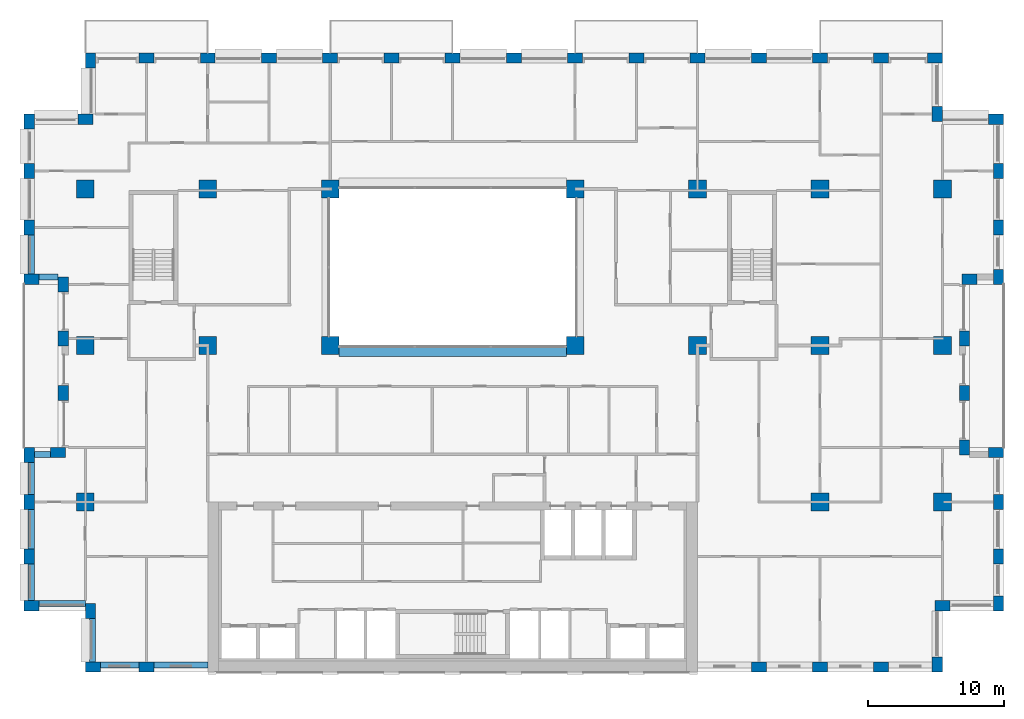
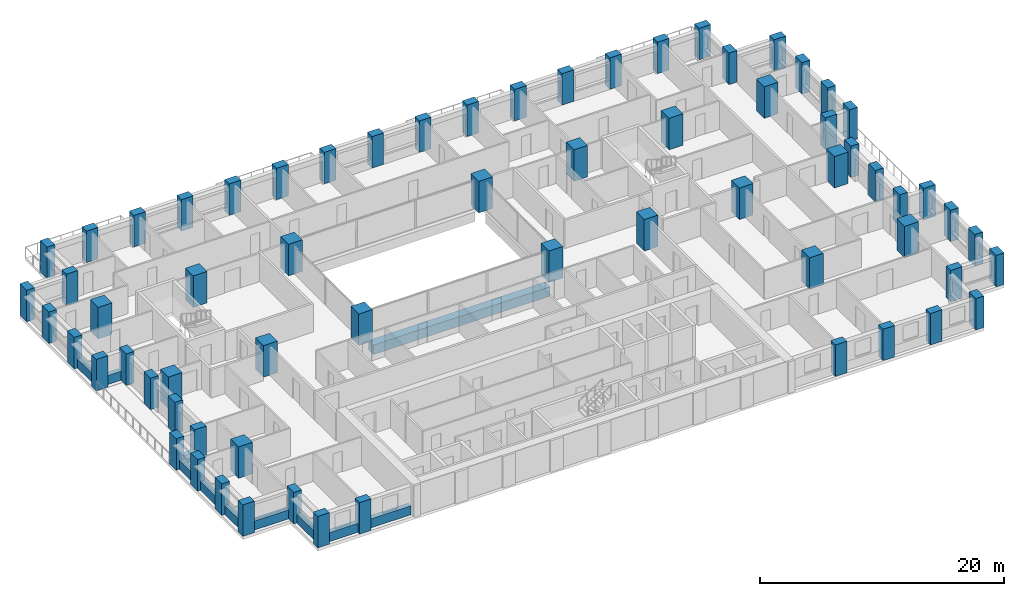
# One storey, part 1 of 16: 66 columns, 11 beams.
"""IFC4 building model written with IfcOpenShell, lengths in metres."""

from ifc_helpers import new_model, si_unit, direction, frame, origin, origin_2d, place, context, subcontext, project, spatial, rectangle, extrude, material, material_profile, profile_set, type_object, element, save


model = new_model("IFC4")

# Units and contexts
model_context = context("Model", 3, precision=1e-05, world=origin(), true_north=direction((0.0, 1.0)))
body_context = subcontext(model_context, "Body", "Model", "MODEL_VIEW")
ifc_project = project(units=[si_unit("LENGTHUNIT", "METRE"), si_unit("AREAUNIT", "SQUARE_METRE"), si_unit("VOLUMEUNIT", "CUBIC_METRE"), si_unit("PLANEANGLEUNIT", "RADIAN"), si_unit("MASSUNIT", "GRAM", prefix="KILO")], contexts=[model_context])

# Site, building, storey
site_placement = place(None, origin())
site = spatial("IfcSite", under=ifc_project, at=site_placement, CompositionType="ELEMENT")
building_placement = place(site_placement, origin())
building = spatial("IfcBuilding", under=site, at=building_placement, Name="Brigalow Station Residences", CompositionType="ELEMENT")
storey_placement = place(building_placement, frame((0.0, 0.0, 124.5)))
storey = spatial("IfcBuildingStorey", under=building, at=storey_placement, Name="L36", CompositionType="ELEMENT", Elevation=124.5)

# Columns
ifc_material_1 = material(Name="Concrete C65", Category="concrete")
ifc_material_profile_1 = material_profile(ifc_material_1, rectangle(XDim=1.300048828125, YDim=1.300048828125, at=origin_2d()), Name="RC1300x1300")
ifc_profile_set_1 = profile_set([ifc_material_profile_1], Name="Concrete C65")
column_type_1 = type_object("IfcColumnType", Name="COLUMN 1300x1300 C65", PredefinedType="COLUMN", material=ifc_profile_set_1)
for number, where, z_axis, x_axis, name in (
    (1, (9.0, 24.0, 0.0), (0.0, 0.0, 1.0), (1.0, 0.0, 0.0), "COLUMN C1 L36"),
    (2, (18.0, 24.0, 0.0), (0.0, 0.0, 1.0), (1.0, 0.0, 0.0), "COLUMN C2 L36"),
    (3, (27.0, 24.0, 0.0), (0.0, 0.0, 1.0), (1.0, 0.0, 0.0), "COLUMN C3 L36"),
    (4, (45.0, 24.0, 0.0), (0.0, 0.0, 1.0), (1.0, 0.0, 0.0), "COLUMN C5 L36"),
    (5, (54.0, 24.0, 0.0), (0.0, 0.0, 1.0), (1.0, 0.0, 0.0), "COLUMN C6 L36"),
    (6, (63.0, 24.0, 0.0), (0.0, 0.0, 1.0), (1.0, 0.0, 0.0), "COLUMN C7 L36"),
    (7, (72.0, 24.0, 0.0), (0.0, 0.0, 1.0), (1.0, 0.0, 0.0), "COLUMN C8 L36"),
    (8, (9.0, 35.5, 0.0), (0.0, 0.0, 1.0), (1.0, 0.0, 0.0), "COLUMN D1 L36"),
    (9, (18.0, 35.5, 0.0), (0.0, 0.0, 1.0), (1.0, 0.0, 0.0), "COLUMN D2 L36"),
    (10, (27.0, 35.5, 0.0), (0.0, 0.0, 1.0), (1.0, 0.0, 0.0), "COLUMN D3 L36"),
    (11, (45.0, 35.5, 0.0), (0.0, 0.0, 1.0), (1.0, 0.0, 0.0), "COLUMN D5 L36"),
    (12, (54.0, 35.5, 0.0), (0.0, 0.0, 1.0), (1.0, 0.0, 0.0), "COLUMN D6 L36"),
    (13, (63.0, 35.5, 0.0), (0.0, 0.0, 1.0), (1.0, 0.0, 0.0), "COLUMN D7 L36"),
    (14, (72.0, 35.5, 0.0), (0.0, 0.0, 1.0), (1.0, 0.0, 0.0), "COLUMN D8 L36"),
    (15, (9.0, 12.5, 0.0), (0.0, 0.0, 1.0), (1.0, 0.0, 0.0), "COLUMN B1 L36"),
    (16, (63.0, 12.5, 0.0), (0.0, 0.0, 1.0), (1.0, 0.0, 0.0), "COLUMN B7 L36"),
    (17, (72.0, 12.5, 0.0), (0.0, 0.0, 1.0), (1.0, 0.0, 0.0), "COLUMN B8 L36"),
):
    element("IfcColumn", number, at=place(storey_placement, frame(where, z_axis=z_axis, x_axis=x_axis)), inside=storey, type_object=column_type_1, Name=name, PredefinedType="COLUMN", context=body_context, shape_type="SweptSolid", body=[
        extrude(rectangle(XDim=1.300048828125, YDim=1.300048828125, at=origin_2d()), origin(), (0.0, 0.0, 1.0), 3.14990234375),
    ])
ifc_material_2 = material(Name="Concrete C65", Category="concrete")
ifc_material_profile_2 = material_profile(ifc_material_2, rectangle(XDim=1.10009765625, YDim=0.75, at=origin_2d()), Name="RC1100x750")
ifc_profile_set_2 = profile_set([ifc_material_profile_2], Name="Concrete C65")
column_type_2 = type_object("IfcColumnType", Name="PIER 1100x750 C65", PredefinedType="USERDEFINED", material=ifc_profile_set_2)
for number, where, z_axis, x_axis, name in (
    (18, (9.550048828125, 0.375, 0.0), (0.0, 0.0, 1.0), (1.0, 0.0, 0.0), "PIER S-1 L36"),
    (19, (13.5, 0.375, 0.0), (0.0, 0.0, 1.0), (1.0, 0.0, 0.0), "PIER S-2 L36"),
    (20, (58.5, 0.375, 0.0), (0.0, 0.0, 1.0), (1.0, 0.0, 0.0), "PIER S-12 L36"),
    (21, (63.0, 0.375, 0.0), (0.0, 0.0, 1.0), (1.0, 0.0, 0.0), "PIER S-13 L36"),
    (22, (67.5, 0.375, 0.0), (0.0, 0.0, 1.0), (1.0, 0.0, 0.0), "PIER S-14 L36"),
    (23, (71.625, 0.550048828125, 0.0), (0.0, 0.0, 1.0), (0.0, 1.0, 0.0), "PIER SE1-1 L36"),
    (24, (72.0, 4.875, 0.0), (0.0, 0.0, 1.0), (1.0, 0.0, 0.0), "PIER SE2-1 L36"),
    (25, (76.125, 5.050048828125, 0.0), (0.0, 0.0, 1.0), (0.0, 1.0, 0.0), "PIER E1-1 L36"),
    (26, (76.125, 8.5, 0.0), (0.0, 0.0, 1.0), (0.0, 1.0, 0.0), "PIER E1-2 L36"),
    (27, (76.125, 12.5, 0.0), (0.0, 0.0, 1.0), (0.0, 1.0, 0.0), "PIER E1-3 L36"),
    (28, (75.949951171875, 16.125, 0.0), (0.0, 0.0, 1.0), (-1.0, 0.0, 0.0), "PIER EL1-1 L36"),
    (29, (73.625, 16.5, 0.0), (0.0, 0.0, 1.0), (0.0, 1.0, 0.0), "PIER EL2-1 L36"),
    (30, (73.625, 20.5, 0.0), (0.0, 0.0, 1.0), (0.0, 1.0, 0.0), "PIER EL2-2 L36"),
    (31, (73.625, 24.5, 0.0), (0.0, 0.0, 1.0), (0.0, 1.0, 0.0), "PIER EL2-3 L36"),
    (32, (74.0, 28.875, 0.0), (0.0, 0.0, 1.0), (1.0, 0.0, 0.0), "PIER EL3-1 L36"),
    (33, (76.125, 29.050048828125, 0.0), (0.0, 0.0, 1.0), (0.0, 1.0, 0.0), "PIER E2-1 L36"),
    (34, (76.125, 32.6669921875, 0.0), (0.0, 0.0, 1.0), (0.0, 1.0, 0.0), "PIER E2-2 L36"),
    (35, (76.125, 36.8330078125, 0.0), (0.0, 0.0, 1.0), (0.0, 1.0, 0.0), "PIER E2-3 L36"),
    (36, (75.949951171875, 40.625, 0.0), (0.0, 0.0, 1.0), (-1.0, 0.0, 0.0), "PIER NE1-1 L36"),
    (37, (71.625, 41.0, 0.0), (0.0, 0.0, 1.0), (0.0, 1.0, 0.0), "PIER NE2-1 L36"),
    (38, (71.449951171875, 45.125, 0.0), (0.0, 0.0, 1.0), (-1.0, 0.0, 0.0), "PIER N-1 L36"),
    (39, (67.5, 45.125, 0.0), (0.0, 0.0, 1.0), (-1.0, 0.0, 0.0), "PIER N-2 L36"),
    (40, (63.0, 45.125, 0.0), (0.0, 0.0, 1.0), (-1.0, 0.0, 0.0), "PIER N-3 L36"),
    (41, (58.5, 45.125, 0.0), (0.0, 0.0, 1.0), (-1.0, 0.0, 0.0), "PIER N-4 L36"),
    (42, (54.0, 45.125, 0.0), (0.0, 0.0, 1.0), (-1.0, 0.0, 0.0), "PIER N-5 L36"),
    (43, (49.5, 45.125, 0.0), (0.0, 0.0, 1.0), (-1.0, 0.0, 0.0), "PIER N-6 L36"),
    (44, (45.0, 45.125, 0.0), (0.0, 0.0, 1.0), (-1.0, 0.0, 0.0), "PIER N-7 L36"),
    (45, (40.5, 45.125, 0.0), (0.0, 0.0, 1.0), (-1.0, 0.0, 0.0), "PIER N-8 L36"),
    (46, (36.0, 45.125, 0.0), (0.0, 0.0, 1.0), (-1.0, 0.0, 0.0), "PIER N-9 L36"),
    (47, (31.5, 45.125, 0.0), (0.0, 0.0, 1.0), (-1.0, 0.0, 0.0), "PIER N-10 L36"),
    (48, (27.0, 45.125, 0.0), (0.0, 0.0, 1.0), (-1.0, 0.0, 0.0), "PIER N-11 L36"),
    (49, (22.5, 45.125, 0.0), (0.0, 0.0, 1.0), (-1.0, 0.0, 0.0), "PIER N-12 L36"),
    (50, (18.0, 45.125, 0.0), (0.0, 0.0, 1.0), (-1.0, 0.0, 0.0), "PIER N-13 L36"),
    (51, (13.5, 45.125, 0.0), (0.0, 0.0, 1.0), (-1.0, 0.0, 0.0), "PIER N-14 L36"),
    (52, (9.375, 44.949951171875, 0.0), (0.0, 0.0, 1.0), (0.0, -1.0, 0.0), "PIER NW1-1 L36"),
    (53, (9.0, 40.625, 0.0), (0.0, 0.0, 1.0), (-1.0, 0.0, 0.0), "PIER NW2-1 L36"),
    (54, (4.875, 40.449951171875, 0.0), (0.0, 0.0, 1.0), (0.0, -1.0, 0.0), "PIER W2-1 L36"),
    (55, (4.875, 36.8330078125, 0.0), (0.0, 0.0, 1.0), (0.0, -1.0, 0.0), "PIER W2-2 L36"),
    (56, (4.875, 32.6669921875, 0.0), (0.0, 0.0, 1.0), (0.0, -1.0, 0.0), "PIER W2-3 L36"),
    (57, (5.050048828125, 28.875, 0.0), (0.0, 0.0, 1.0), (1.0, 0.0, 0.0), "PIER WL1-1 L36"),
    (58, (7.375, 28.5, 0.0), (0.0, 0.0, 1.0), (0.0, -1.0, 0.0), "PIER WL2-1 L36"),
    (59, (7.375, 24.5, 0.0), (0.0, 0.0, 1.0), (0.0, -1.0, 0.0), "PIER WL2-2 L36"),
    (60, (7.375, 20.5, 0.0), (0.0, 0.0, 1.0), (0.0, -1.0, 0.0), "PIER WL2-3 L36"),
    (61, (7.0, 16.125, 0.0), (0.0, 0.0, 1.0), (-1.0, 0.0, 0.0), "PIER WL3-1 L36"),
    (62, (4.875, 15.949951171875, 0.0), (0.0, 0.0, 1.0), (0.0, -1.0, 0.0), "PIER W1-1 L36"),
    (63, (4.875, 12.5, 0.0), (0.0, 0.0, 1.0), (0.0, -1.0, 0.0), "PIER W1-2 L36"),
    (64, (4.875, 8.5, 0.0), (0.0, 0.0, 1.0), (0.0, -1.0, 0.0), "PIER W1-3 L36"),
    (65, (5.050048828125, 4.875, 0.0), (0.0, 0.0, 1.0), (1.0, 0.0, 0.0), "PIER SW1-1 L36"),
    (66, (9.375, 4.5, 0.0), (0.0, 0.0, 1.0), (0.0, -1.0, 0.0), "PIER SW2-1 L36"),
):
    element("IfcColumn", number, at=place(storey_placement, frame(where, z_axis=z_axis, x_axis=x_axis)), inside=storey, type_object=column_type_2, Name=name, ObjectType="PIER", PredefinedType="USERDEFINED", context=body_context, shape_type="SweptSolid", body=[
        extrude(rectangle(XDim=1.10009765625, YDim=0.75, at=origin_2d()), origin(), (0.0, 0.0, 1.0), 3.14990234375),
    ])

# Beams
ifc_material_3 = material(Name="Concrete C65", Category="concrete")
ifc_material_profile_3 = material_profile(ifc_material_3, rectangle(XDim=0.800048828125, YDim=0.949951171875, at=origin_2d()), Name="RC800x950")
ifc_profile_set_3 = profile_set([ifc_material_profile_3], Name="Concrete C65")
beam_type_1 = type_object("IfcBeamType", Name="ATRIUM EDGE GIRDER OVER 13.5 M SPAN 800x950 C65", PredefinedType="BEAM", material=ifc_profile_set_3)
beam_1_placement = place(storey_placement, frame((27.64990234375, 23.60009765625, -0.794921875), z_axis=(1.0, 0.0, 0.0), x_axis=(0.0, 1.0, 0.0)))
element("IfcBeam", 67, at=beam_1_placement, inside=storey, type_object=beam_type_1, Name="ATRIUM EDGE GIRDER C L36", PredefinedType="BEAM", context=body_context, shape_type="SweptSolid", body=[
    extrude(rectangle(XDim=0.800048828125, YDim=0.949951171875, at=origin_2d()), origin(), (0.0, 0.0, 1.0), 16.7001953125),
])
ifc_material_4 = material(Name="Concrete C65", Category="concrete")
ifc_material_profile_4 = material_profile(ifc_material_4, rectangle(XDim=0.449951171875, YDim=0.89990234375, at=origin_2d()), Name="RC450x900")
ifc_profile_set_4 = profile_set([ifc_material_profile_4], Name="Concrete C65")
beam_type_2 = type_object("IfcBeamType", Name="SPANDREL BEAM 450x900 C65", PredefinedType="SPANDREL", material=ifc_profile_set_4)
beam_2_placement = place(storey_placement, frame((10.10009765625, 0.52490234375, 0.449951171875), z_axis=(1.0, 0.0, 0.0), x_axis=(0.0, 1.0, 0.0)))
element("IfcBeam", 68, at=beam_2_placement, inside=storey, type_object=beam_type_2, Name="L36/spandrel/W-L36-1", PredefinedType="SPANDREL", context=body_context, shape_type="SweptSolid", body=[
    extrude(rectangle(XDim=0.449951171875, YDim=0.89990234375, at=origin_2d()), origin(), (0.0, 0.0, 1.0), 2.849853515625),
])
beam_3_placement = place(storey_placement, frame((14.050048828125, 0.52490234375, 0.449951171875), z_axis=(1.0, 0.0, 0.0), x_axis=(0.0, 1.0, 0.0)))
element("IfcBeam", 69, at=beam_3_placement, inside=storey, type_object=beam_type_2, Name="L36/spandrel/W-L36-2", PredefinedType="SPANDREL", context=body_context, shape_type="SweptSolid", body=[
    extrude(rectangle(XDim=0.449951171875, YDim=0.89990234375, at=origin_2d()), origin(), (0.0, 0.0, 1.0), 3.949951171875),
])
beam_4_placement = place(storey_placement, frame((5.02490234375, 32.116943359375, 0.449951171875), z_axis=(0.0, -1.0, 0.0), x_axis=(1.0, 0.0, 0.0)))
element("IfcBeam", 70, at=beam_4_placement, inside=storey, type_object=beam_type_2, Name="L36/spandrel/W-L36-41", PredefinedType="SPANDREL", context=body_context, shape_type="SweptSolid", body=[
    extrude(rectangle(XDim=0.449951171875, YDim=0.89990234375, at=origin_2d()), origin(), (0.0, 0.0, 1.0), 2.866943359375),
])
beam_5_placement = place(storey_placement, frame((5.60009765625, 29.02490234375, 0.449951171875), z_axis=(1.0, 0.0, 0.0), x_axis=(0.0, 1.0, 0.0)))
element("IfcBeam", 71, at=beam_5_placement, inside=storey, type_object=beam_type_2, Name="L36/spandrel/W-L36-42", PredefinedType="SPANDREL", context=body_context, shape_type="SweptSolid", body=[
    extrude(rectangle(XDim=0.449951171875, YDim=0.89990234375, at=origin_2d()), origin(), (0.0, 0.0, 1.0), 1.39990234375),
])
beam_6_placement = place(storey_placement, frame((6.449951171875, 15.97509765625, 0.449951171875), z_axis=(-1.0, 0.0, 0.0), x_axis=(0.0, -1.0, 0.0)))
element("IfcBeam", 72, at=beam_6_placement, inside=storey, type_object=beam_type_2, Name="L36/spandrel/W-L36-46", PredefinedType="SPANDREL", context=body_context, shape_type="SweptSolid", body=[
    extrude(rectangle(XDim=0.449951171875, YDim=0.89990234375, at=origin_2d()), origin(), (0.0, 0.0, 1.0), 1.199951171875),
])
beam_7_placement = place(storey_placement, frame((5.02490234375, 15.39990234375, 0.449951171875), z_axis=(0.0, -1.0, 0.0), x_axis=(1.0, 0.0, 0.0)))
element("IfcBeam", 73, at=beam_7_placement, inside=storey, type_object=beam_type_2, Name="L36/spandrel/W-L36-47", PredefinedType="SPANDREL", context=body_context, shape_type="SweptSolid", body=[
    extrude(rectangle(XDim=0.449951171875, YDim=0.89990234375, at=origin_2d()), origin(), (0.0, 0.0, 1.0), 2.349853515625),
])
beam_8_placement = place(storey_placement, frame((5.02490234375, 11.949951171875, 0.449951171875), z_axis=(0.0, -1.0, 0.0), x_axis=(1.0, 0.0, 0.0)))
element("IfcBeam", 74, at=beam_8_placement, inside=storey, type_object=beam_type_2, Name="L36/spandrel/W-L36-48", PredefinedType="SPANDREL", context=body_context, shape_type="SweptSolid", body=[
    extrude(rectangle(XDim=0.449951171875, YDim=0.89990234375, at=origin_2d()), origin(), (0.0, 0.0, 1.0), 2.89990234375),
])
beam_9_placement = place(storey_placement, frame((5.02490234375, 7.949951171875, 0.449951171875), z_axis=(0.0, -1.0, 0.0), x_axis=(1.0, 0.0, 0.0)))
element("IfcBeam", 75, at=beam_9_placement, inside=storey, type_object=beam_type_2, Name="L36/spandrel/W-L36-49", PredefinedType="SPANDREL", context=body_context, shape_type="SweptSolid", body=[
    extrude(rectangle(XDim=0.449951171875, YDim=0.89990234375, at=origin_2d()), origin(), (0.0, 0.0, 1.0), 2.699951171875),
])
beam_10_placement = place(storey_placement, frame((5.60009765625, 5.02490234375, 0.449951171875), z_axis=(1.0, 0.0, 0.0), x_axis=(0.0, 1.0, 0.0)))
element("IfcBeam", 76, at=beam_10_placement, inside=storey, type_object=beam_type_2, Name="L36/spandrel/W-L36-50", PredefinedType="SPANDREL", context=body_context, shape_type="SweptSolid", body=[
    extrude(rectangle(XDim=0.449951171875, YDim=0.89990234375, at=origin_2d()), origin(), (0.0, 0.0, 1.0), 3.39990234375),
])
beam_11_placement = place(storey_placement, frame((9.52490234375, 3.949951171875, 0.449951171875), z_axis=(0.0, -1.0, 0.0), x_axis=(1.0, 0.0, 0.0)))
element("IfcBeam", 77, at=beam_11_placement, inside=storey, type_object=beam_type_2, Name="L36/spandrel/W-L36-51", PredefinedType="SPANDREL", context=body_context, shape_type="SweptSolid", body=[
    extrude(rectangle(XDim=0.449951171875, YDim=0.89990234375, at=origin_2d()), origin(), (0.0, 0.0, 1.0), 3.199951171875),
])

save(model, "model.ifc")
